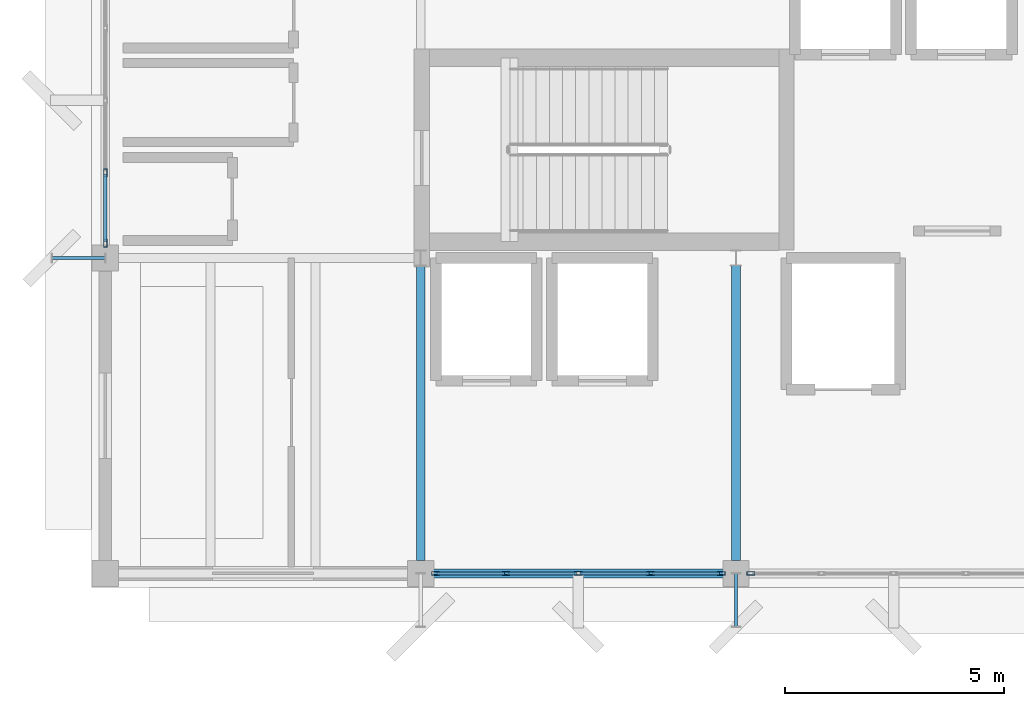
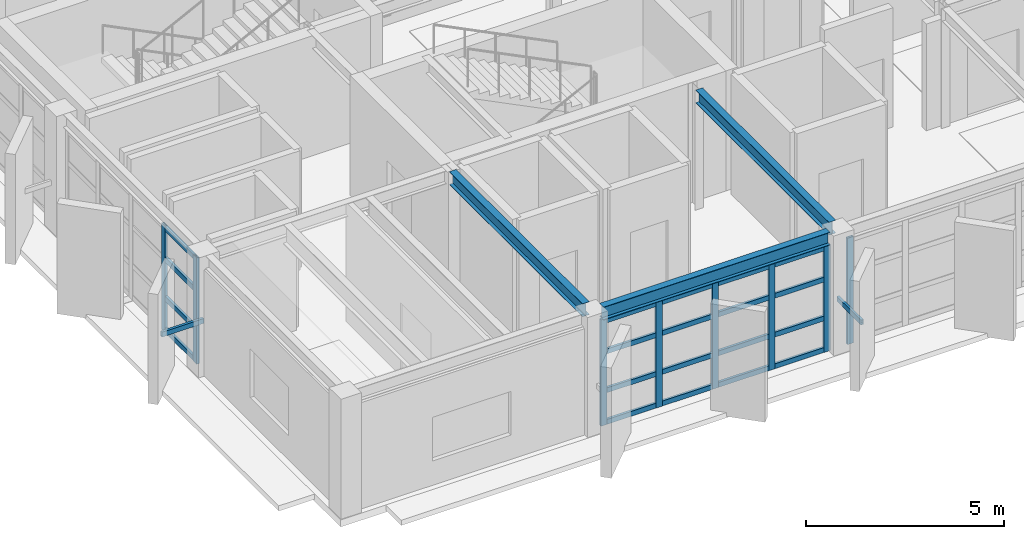
# One storey, part 3 of 15: 30 members, 3 beams, 3 elements without a shape of their own.
"""IFC4 building model written with IfcOpenShell, lengths in metres."""

from ifc_helpers import new_model, si_unit, direction, frame, origin, origin_2d, place, context, subcontext, project, spatial, hollow_rectangle, i_section, extrude, material, layer, layer_set, material_profile, profile_set, type_object, element, aggregate, save


model = new_model("IFC4")

# Units and contexts
model_context = context("Model", 3, precision=1e-05, world=origin(), true_north=direction((0.0, 1.0)))
body_context = subcontext(model_context, "Body", "Model", "MODEL_VIEW")
ifc_project = project(units=[si_unit("LENGTHUNIT", "METRE"), si_unit("AREAUNIT", "SQUARE_METRE"), si_unit("VOLUMEUNIT", "CUBIC_METRE"), si_unit("PLANEANGLEUNIT", "RADIAN"), si_unit("MASSUNIT", "GRAM", prefix="KILO")], contexts=[model_context])

# Site, building, storey
site_placement = place(None, origin())
site = spatial("IfcSite", under=ifc_project, at=site_placement, CompositionType="ELEMENT")
building_placement = place(site_placement, origin())
building = spatial("IfcBuilding", under=site, at=building_placement, Name="Kandorven Conservatory and Botanical Research Centre", CompositionType="ELEMENT")
storey_placement = place(building_placement, frame((0.0, 0.0, 52.199951171875)))
storey = spatial("IfcBuildingStorey", under=building, at=storey_placement, Name="L13", CompositionType="ELEMENT", Elevation=52.199951171875)

# Beams
ifc_material_1 = material(Name="Steel S355 (IS 2062 E350)", Category="steel")
ifc_material_profile_1 = material_profile(ifc_material_1, i_section(OverallWidth=0.199951171875, OverallDepth=0.39990234375, WebThickness=0.008544921875, FlangeThickness=0.012939453125, at=origin_2d()))
ifc_profile_set_1 = profile_set([ifc_material_profile_1], Name="Steel S355 (IS 2062 E350)")
beam_type = type_object("IfcBeamType", Name="Beam_FG-03", PredefinedType="USERDEFINED", material=ifc_profile_set_1)
beam_placement = place(storey_placement, frame((13.489990234375, 6.0, 3.505126953125), z_axis=(1.0, 0.0, 0.0), x_axis=(0.0, 1.0, 0.0)))
element("IfcBeam", 1, at=beam_placement, inside=storey, type_object=beam_type, Name="Primary girder FG-03 TWR L13", ObjectType="GIRDER", PredefinedType="USERDEFINED", context=body_context, shape_type="SweptSolid", body=[
    extrude(i_section(OverallWidth=0.199951171875, OverallDepth=0.39990234375, WebThickness=0.008544921875, FlangeThickness=0.012939453125, at=origin_2d()), origin(), (0.0, 0.0, 1.0), 6.6201171875),
])
for number, where, z_axis, x_axis, name in (
    (2, (13.199951171875, 6.2900390625, 3.505126953125), (0.0, 1.0, 0.0), (-1.0, 0.0, 0.0), "Primary girder FG-03 TWR L13"),
    (3, (20.39990234375, 6.2900390625, 3.505126953125), (0.0, 1.0, 0.0), (-1.0, 0.0, 0.0), "Primary girder FG-03 TWR L13"),
):
    element("IfcBeam", number, at=place(storey_placement, frame(where, z_axis=z_axis, x_axis=x_axis)), inside=storey, type_object=beam_type, Name=name, ObjectType="GIRDER", PredefinedType="USERDEFINED", context=body_context, shape_type="SweptSolid", body=[
        extrude(i_section(OverallWidth=0.199951171875, OverallDepth=0.39990234375, WebThickness=0.008544921875, FlangeThickness=0.012939453125, at=origin_2d()), origin(), (0.0, 0.0, 1.0), 6.744873046875),
    ])

# Curtain wall, members
ifc_material_2 = material(Name="Bronze anodised thermally broken aluminium", Category="aluminium")
ifc_layer = layer(ifc_material_2, 0.179931640625)
ifc_layer_set = layer_set([ifc_layer], Name="Bronze anodised thermally broken aluminium")
curtain_wall_type = type_object("IfcCurtainWallType", Name="CW_Unitised", PredefinedType="USERDEFINED", material=ifc_layer_set)
curtain_wall_1_placement = place(storey_placement, origin())
curtain_wall_1 = element("IfcCurtainWall", 4, at=curtain_wall_1_placement, inside=storey, type_object=curtain_wall_type, Name="Tower laboratory curtain wall CW-TWR-S-L13-2", ObjectType="UNITISED GLAZING", PredefinedType="USERDEFINED")
ifc_material_3 = material(Name="Bronze anodised thermally broken aluminium", Category="aluminium")
ifc_material_profile_2 = material_profile(ifc_material_3, hollow_rectangle(XDim=0.080078125, YDim=0.179931640625, WallThickness=0.006103515625, at=origin_2d()))
ifc_profile_set_2 = profile_set([ifc_material_profile_2], Name="Bronze anodised thermally broken aluminium")
member_type_1 = type_object("IfcMemberType", Name="CW_Mullion", PredefinedType="MULLION", material=ifc_profile_set_2)
member_1_placement = place(storey_placement, frame((13.5400390625, 6.0, 0.0), z_axis=(0.0, 0.0, 1.0), x_axis=(0.0, 1.0, 0.0)))
member_1 = element("IfcMember", 5, at=member_1_placement, type_object=member_type_1, Name="CW-01 mullion 1", PredefinedType="MULLION", context=body_context, shape_type="SweptSolid", body=[
    extrude(hollow_rectangle(XDim=0.080078125, YDim=0.179931640625, WallThickness=0.006103515625, at=origin_2d()), origin(), (0.0, 0.0, 1.0), 3.28515625),
])
member_2_placement = place(storey_placement, frame((15.14990234375, 6.0, 0.0), z_axis=(0.0, 0.0, 1.0), x_axis=(0.0, 1.0, 0.0)))
member_2 = element("IfcMember", 6, at=member_2_placement, type_object=member_type_1, Name="CW-01 mullion 2", PredefinedType="MULLION", context=body_context, shape_type="SweptSolid", body=[
    extrude(hollow_rectangle(XDim=0.080078125, YDim=0.179931640625, WallThickness=0.006103515625, at=origin_2d()), origin(), (0.0, 0.0, 1.0), 3.28515625),
])
member_3_placement = place(storey_placement, frame((16.800048828125, 6.0, 0.0), z_axis=(0.0, 0.0, 1.0), x_axis=(0.0, 1.0, 0.0)))
member_3 = element("IfcMember", 7, at=member_3_placement, type_object=member_type_1, Name="CW-01 mullion 3", PredefinedType="MULLION", context=body_context, shape_type="SweptSolid", body=[
    extrude(hollow_rectangle(XDim=0.080078125, YDim=0.179931640625, WallThickness=0.006103515625, at=origin_2d()), origin(), (0.0, 0.0, 1.0), 3.28515625),
])
member_4_placement = place(storey_placement, frame((18.449951171875, 6.0, 0.0), z_axis=(0.0, 0.0, 1.0), x_axis=(0.0, 1.0, 0.0)))
member_4 = element("IfcMember", 8, at=member_4_placement, type_object=member_type_1, Name="CW-01 mullion 4", PredefinedType="MULLION", context=body_context, shape_type="SweptSolid", body=[
    extrude(hollow_rectangle(XDim=0.080078125, YDim=0.179931640625, WallThickness=0.006103515625, at=origin_2d()), origin(), (0.0, 0.0, 1.0), 3.28515625),
])
member_5_placement = place(storey_placement, frame((20.06005859375, 6.0, 0.0), z_axis=(0.0, 0.0, 1.0), x_axis=(0.0, 1.0, 0.0)))
member_5 = element("IfcMember", 9, at=member_5_placement, type_object=member_type_1, Name="CW-01 mullion 5", PredefinedType="MULLION", context=body_context, shape_type="SweptSolid", body=[
    extrude(hollow_rectangle(XDim=0.080078125, YDim=0.179931640625, WallThickness=0.006103515625, at=origin_2d()), origin(), (0.0, 0.0, 1.0), 3.28515625),
])

# Curtain wall, member
curtain_wall_2_placement = place(storey_placement, origin())
curtain_wall_2 = element("IfcCurtainWall", 10, at=curtain_wall_2_placement, inside=storey, type_object=curtain_wall_type, Name="Tower laboratory curtain wall CW-TWR-S-L13-3", ObjectType="UNITISED GLAZING", PredefinedType="USERDEFINED")
member_6_placement = place(storey_placement, frame((20.739990234375, 6.0, 0.0), z_axis=(0.0, 0.0, 1.0), x_axis=(0.0, 1.0, 0.0)))
member_6 = element("IfcMember", 11, at=member_6_placement, type_object=member_type_1, Name="CW-01 mullion 1", PredefinedType="MULLION", context=body_context, shape_type="SweptSolid", body=[
    extrude(hollow_rectangle(XDim=0.080078125, YDim=0.179931640625, WallThickness=0.006103515625, at=origin_2d()), origin(), (0.0, 0.0, 1.0), 3.28515625),
])
aggregate(curtain_wall_2, [member_6])

# Curtain wall, members
curtain_wall_3_placement = place(storey_placement, origin())
curtain_wall_3 = element("IfcCurtainWall", 12, at=curtain_wall_3_placement, inside=storey, type_object=curtain_wall_type, Name="Tower laboratory curtain wall CW-TWR-W-L13-2", ObjectType="UNITISED GLAZING", PredefinedType="USERDEFINED")
member_7_placement = place(storey_placement, frame((6.0, 13.5400390625, 0.0), z_axis=(0.0, 0.0, 1.0), x_axis=(-1.0, 0.0, 0.0)))
member_7 = element("IfcMember", 13, at=member_7_placement, type_object=member_type_1, Name="CW-01 mullion 1", PredefinedType="MULLION", context=body_context, shape_type="SweptSolid", body=[
    extrude(hollow_rectangle(XDim=0.080078125, YDim=0.179931640625, WallThickness=0.006103515625, at=origin_2d()), origin(), (0.0, 0.0, 1.0), 3.28515625),
])
member_8_placement = place(storey_placement, frame((6.0, 15.14990234375, 0.0), z_axis=(0.0, 0.0, 1.0), x_axis=(-1.0, 0.0, 0.0)))
member_8 = element("IfcMember", 14, at=member_8_placement, type_object=member_type_1, Name="CW-01 mullion 2", PredefinedType="MULLION", context=body_context, shape_type="SweptSolid", body=[
    extrude(hollow_rectangle(XDim=0.080078125, YDim=0.179931640625, WallThickness=0.006103515625, at=origin_2d()), origin(), (0.0, 0.0, 1.0), 3.28515625),
])

# Member
ifc_material_4 = material(Name="Bronze anodised thermally broken aluminium", Category="aluminium")
ifc_material_profile_3 = material_profile(ifc_material_4, hollow_rectangle(XDim=0.074951171875, YDim=0.14990234375, WallThickness=0.006103515625, at=origin_2d()))
ifc_profile_set_3 = profile_set([ifc_material_profile_3], Name="Bronze anodised thermally broken aluminium")
member_type_2 = type_object("IfcMemberType", Name="CW_Transom", PredefinedType="USERDEFINED", material=ifc_profile_set_3)
member_9_placement = place(storey_placement, frame((13.580078125, 6.0, 0.074951171875), z_axis=(1.0, 0.0, 0.0), x_axis=(0.0, 1.0, 0.0)))
member_9 = element("IfcMember", 15, at=member_9_placement, type_object=member_type_2, Name="CW-01 transom 1.1", ObjectType="TRANSOM", PredefinedType="USERDEFINED", context=body_context, shape_type="SweptSolid", body=[
    extrude(hollow_rectangle(XDim=0.074951171875, YDim=0.14990234375, WallThickness=0.006103515625, at=origin_2d()), origin(), (0.0, 0.0, 1.0), 1.530029296875),
])

member_10_placement = place(storey_placement, frame((13.580078125, 6.0, 1.050048828125), z_axis=(1.0, 0.0, 0.0), x_axis=(0.0, 1.0, 0.0)))
member_10 = element("IfcMember", 16, at=member_10_placement, type_object=member_type_2, Name="CW-01 transom 1.2", ObjectType="TRANSOM", PredefinedType="USERDEFINED", context=body_context, shape_type="SweptSolid", body=[
    extrude(hollow_rectangle(XDim=0.074951171875, YDim=0.14990234375, WallThickness=0.006103515625, at=origin_2d()), origin(), (0.0, 0.0, 1.0), 1.530029296875),
])

member_11_placement = place(storey_placement, frame((13.580078125, 6.0, 2.25), z_axis=(1.0, 0.0, 0.0), x_axis=(0.0, 1.0, 0.0)))
member_11 = element("IfcMember", 17, at=member_11_placement, type_object=member_type_2, Name="CW-01 transom 1.3", ObjectType="TRANSOM", PredefinedType="USERDEFINED", context=body_context, shape_type="SweptSolid", body=[
    extrude(hollow_rectangle(XDim=0.074951171875, YDim=0.14990234375, WallThickness=0.006103515625, at=origin_2d()), origin(), (0.0, 0.0, 1.0), 1.530029296875),
])

member_12_placement = place(storey_placement, frame((13.580078125, 6.0, 3.2099609375), z_axis=(1.0, 0.0, 0.0), x_axis=(0.0, 1.0, 0.0)))
member_12 = element("IfcMember", 18, at=member_12_placement, type_object=member_type_2, Name="CW-01 transom 1.4", ObjectType="TRANSOM", PredefinedType="USERDEFINED", context=body_context, shape_type="SweptSolid", body=[
    extrude(hollow_rectangle(XDim=0.074951171875, YDim=0.14990234375, WallThickness=0.006103515625, at=origin_2d()), origin(), (0.0, 0.0, 1.0), 1.530029296875),
])

member_13_placement = place(storey_placement, frame((15.18994140625, 6.0, 0.074951171875), z_axis=(1.0, 0.0, 0.0), x_axis=(0.0, 1.0, 0.0)))
member_13 = element("IfcMember", 19, at=member_13_placement, type_object=member_type_2, Name="CW-01 transom 2.1", ObjectType="TRANSOM", PredefinedType="USERDEFINED", context=body_context, shape_type="SweptSolid", body=[
    extrude(hollow_rectangle(XDim=0.074951171875, YDim=0.14990234375, WallThickness=0.006103515625, at=origin_2d()), origin(), (0.0, 0.0, 1.0), 1.570068359375),
])

member_14_placement = place(storey_placement, frame((15.18994140625, 6.0, 1.050048828125), z_axis=(1.0, 0.0, 0.0), x_axis=(0.0, 1.0, 0.0)))
member_14 = element("IfcMember", 20, at=member_14_placement, type_object=member_type_2, Name="CW-01 transom 2.2", ObjectType="TRANSOM", PredefinedType="USERDEFINED", context=body_context, shape_type="SweptSolid", body=[
    extrude(hollow_rectangle(XDim=0.074951171875, YDim=0.14990234375, WallThickness=0.006103515625, at=origin_2d()), origin(), (0.0, 0.0, 1.0), 1.570068359375),
])

member_15_placement = place(storey_placement, frame((15.18994140625, 6.0, 2.25), z_axis=(1.0, 0.0, 0.0), x_axis=(0.0, 1.0, 0.0)))
member_15 = element("IfcMember", 21, at=member_15_placement, type_object=member_type_2, Name="CW-01 transom 2.3", ObjectType="TRANSOM", PredefinedType="USERDEFINED", context=body_context, shape_type="SweptSolid", body=[
    extrude(hollow_rectangle(XDim=0.074951171875, YDim=0.14990234375, WallThickness=0.006103515625, at=origin_2d()), origin(), (0.0, 0.0, 1.0), 1.570068359375),
])

member_16_placement = place(storey_placement, frame((15.18994140625, 6.0, 3.2099609375), z_axis=(1.0, 0.0, 0.0), x_axis=(0.0, 1.0, 0.0)))
member_16 = element("IfcMember", 22, at=member_16_placement, type_object=member_type_2, Name="CW-01 transom 2.4", ObjectType="TRANSOM", PredefinedType="USERDEFINED", context=body_context, shape_type="SweptSolid", body=[
    extrude(hollow_rectangle(XDim=0.074951171875, YDim=0.14990234375, WallThickness=0.006103515625, at=origin_2d()), origin(), (0.0, 0.0, 1.0), 1.570068359375),
])

member_17_placement = place(storey_placement, frame((16.840087890625, 6.0, 0.074951171875), z_axis=(1.0, 0.0, 0.0), x_axis=(0.0, 1.0, 0.0)))
member_17 = element("IfcMember", 23, at=member_17_placement, type_object=member_type_2, Name="CW-01 transom 3.1", ObjectType="TRANSOM", PredefinedType="USERDEFINED", context=body_context, shape_type="SweptSolid", body=[
    extrude(hollow_rectangle(XDim=0.074951171875, YDim=0.14990234375, WallThickness=0.006103515625, at=origin_2d()), origin(), (0.0, 0.0, 1.0), 1.56982421875),
])

member_18_placement = place(storey_placement, frame((16.840087890625, 6.0, 1.050048828125), z_axis=(1.0, 0.0, 0.0), x_axis=(0.0, 1.0, 0.0)))
member_18 = element("IfcMember", 24, at=member_18_placement, type_object=member_type_2, Name="CW-01 transom 3.2", ObjectType="TRANSOM", PredefinedType="USERDEFINED", context=body_context, shape_type="SweptSolid", body=[
    extrude(hollow_rectangle(XDim=0.074951171875, YDim=0.14990234375, WallThickness=0.006103515625, at=origin_2d()), origin(), (0.0, 0.0, 1.0), 1.56982421875),
])

member_19_placement = place(storey_placement, frame((16.840087890625, 6.0, 2.25), z_axis=(1.0, 0.0, 0.0), x_axis=(0.0, 1.0, 0.0)))
member_19 = element("IfcMember", 25, at=member_19_placement, type_object=member_type_2, Name="CW-01 transom 3.3", ObjectType="TRANSOM", PredefinedType="USERDEFINED", context=body_context, shape_type="SweptSolid", body=[
    extrude(hollow_rectangle(XDim=0.074951171875, YDim=0.14990234375, WallThickness=0.006103515625, at=origin_2d()), origin(), (0.0, 0.0, 1.0), 1.56982421875),
])

member_20_placement = place(storey_placement, frame((16.840087890625, 6.0, 3.2099609375), z_axis=(1.0, 0.0, 0.0), x_axis=(0.0, 1.0, 0.0)))
member_20 = element("IfcMember", 26, at=member_20_placement, type_object=member_type_2, Name="CW-01 transom 3.4", ObjectType="TRANSOM", PredefinedType="USERDEFINED", context=body_context, shape_type="SweptSolid", body=[
    extrude(hollow_rectangle(XDim=0.074951171875, YDim=0.14990234375, WallThickness=0.006103515625, at=origin_2d()), origin(), (0.0, 0.0, 1.0), 1.56982421875),
])

member_21_placement = place(storey_placement, frame((18.489990234375, 6.0, 0.074951171875), z_axis=(1.0, 0.0, 0.0), x_axis=(0.0, 1.0, 0.0)))
member_21 = element("IfcMember", 27, at=member_21_placement, type_object=member_type_2, Name="CW-01 transom 4.1", ObjectType="TRANSOM", PredefinedType="USERDEFINED", context=body_context, shape_type="SweptSolid", body=[
    extrude(hollow_rectangle(XDim=0.074951171875, YDim=0.14990234375, WallThickness=0.006103515625, at=origin_2d()), origin(), (0.0, 0.0, 1.0), 1.530029296875),
])

member_22_placement = place(storey_placement, frame((18.489990234375, 6.0, 1.050048828125), z_axis=(1.0, 0.0, 0.0), x_axis=(0.0, 1.0, 0.0)))
member_22 = element("IfcMember", 28, at=member_22_placement, type_object=member_type_2, Name="CW-01 transom 4.2", ObjectType="TRANSOM", PredefinedType="USERDEFINED", context=body_context, shape_type="SweptSolid", body=[
    extrude(hollow_rectangle(XDim=0.074951171875, YDim=0.14990234375, WallThickness=0.006103515625, at=origin_2d()), origin(), (0.0, 0.0, 1.0), 1.530029296875),
])

member_23_placement = place(storey_placement, frame((18.489990234375, 6.0, 2.25), z_axis=(1.0, 0.0, 0.0), x_axis=(0.0, 1.0, 0.0)))
member_23 = element("IfcMember", 29, at=member_23_placement, type_object=member_type_2, Name="CW-01 transom 4.3", ObjectType="TRANSOM", PredefinedType="USERDEFINED", context=body_context, shape_type="SweptSolid", body=[
    extrude(hollow_rectangle(XDim=0.074951171875, YDim=0.14990234375, WallThickness=0.006103515625, at=origin_2d()), origin(), (0.0, 0.0, 1.0), 1.530029296875),
])

member_24_placement = place(storey_placement, frame((18.489990234375, 6.0, 3.2099609375), z_axis=(1.0, 0.0, 0.0), x_axis=(0.0, 1.0, 0.0)))
member_24 = element("IfcMember", 30, at=member_24_placement, type_object=member_type_2, Name="CW-01 transom 4.4", ObjectType="TRANSOM", PredefinedType="USERDEFINED", context=body_context, shape_type="SweptSolid", body=[
    extrude(hollow_rectangle(XDim=0.074951171875, YDim=0.14990234375, WallThickness=0.006103515625, at=origin_2d()), origin(), (0.0, 0.0, 1.0), 1.530029296875),
])

aggregate(curtain_wall_1, [member_1, member_2, member_3, member_4, member_5, member_9, member_10, member_11, member_12, member_13, member_14, member_15, member_16, member_17, member_18, member_19, member_20, member_21, member_22, member_23, member_24])

member_25_placement = place(storey_placement, frame((6.0, 13.580078125, 0.074951171875), z_axis=(0.0, 1.0, 0.0), x_axis=(-1.0, 0.0, 0.0)))
member_25 = element("IfcMember", 31, at=member_25_placement, type_object=member_type_2, Name="CW-01 transom 1.1", ObjectType="TRANSOM", PredefinedType="USERDEFINED", context=body_context, shape_type="SweptSolid", body=[
    extrude(hollow_rectangle(XDim=0.074951171875, YDim=0.14990234375, WallThickness=0.006103515625, at=origin_2d()), origin(), (0.0, 0.0, 1.0), 1.530029296875),
])

member_26_placement = place(storey_placement, frame((6.0, 13.580078125, 1.050048828125), z_axis=(0.0, 1.0, 0.0), x_axis=(-1.0, 0.0, 0.0)))
member_26 = element("IfcMember", 32, at=member_26_placement, type_object=member_type_2, Name="CW-01 transom 1.2", ObjectType="TRANSOM", PredefinedType="USERDEFINED", context=body_context, shape_type="SweptSolid", body=[
    extrude(hollow_rectangle(XDim=0.074951171875, YDim=0.14990234375, WallThickness=0.006103515625, at=origin_2d()), origin(), (0.0, 0.0, 1.0), 1.530029296875),
])

member_27_placement = place(storey_placement, frame((6.0, 13.580078125, 2.25), z_axis=(0.0, 1.0, 0.0), x_axis=(-1.0, 0.0, 0.0)))
member_27 = element("IfcMember", 33, at=member_27_placement, type_object=member_type_2, Name="CW-01 transom 1.3", ObjectType="TRANSOM", PredefinedType="USERDEFINED", context=body_context, shape_type="SweptSolid", body=[
    extrude(hollow_rectangle(XDim=0.074951171875, YDim=0.14990234375, WallThickness=0.006103515625, at=origin_2d()), origin(), (0.0, 0.0, 1.0), 1.530029296875),
])

member_28_placement = place(storey_placement, frame((6.0, 13.580078125, 3.2099609375), z_axis=(0.0, 1.0, 0.0), x_axis=(-1.0, 0.0, 0.0)))
member_28 = element("IfcMember", 34, at=member_28_placement, type_object=member_type_2, Name="CW-01 transom 1.4", ObjectType="TRANSOM", PredefinedType="USERDEFINED", context=body_context, shape_type="SweptSolid", body=[
    extrude(hollow_rectangle(XDim=0.074951171875, YDim=0.14990234375, WallThickness=0.006103515625, at=origin_2d()), origin(), (0.0, 0.0, 1.0), 1.530029296875),
])

aggregate(curtain_wall_3, [member_7, member_8, member_25, member_26, member_27, member_28])

# Members
ifc_material_5 = material(Name="Steel S355 (IS 2062 E350)", Category="steel")
ifc_material_profile_4 = material_profile(ifc_material_5, hollow_rectangle(XDim=0.074951171875, YDim=0.14990234375, WallThickness=0.006103515625, at=origin_2d()))
ifc_profile_set_4 = profile_set([ifc_material_profile_4], Name="Steel S355 (IS 2062 E350)")
member_type_3 = type_object("IfcMemberType", Name="Mem_SF-01", PredefinedType="STRUT", material=ifc_profile_set_4)
for number, where, z_axis, x_axis, name in (
    (35, (20.39990234375, 6.0, 1.5), (0.0, -1.0, 0.0), (1.0, 0.0, 0.0), "Solar fin steel outrigger strut SF-01 #111"),
    (36, (6.0, 13.199951171875, 1.5), (-1.0, 0.0, 0.0), (0.0, -1.0, 0.0), "Solar fin steel outrigger strut SF-01 #113"),
):
    element("IfcMember", number, at=place(storey_placement, frame(where, z_axis=z_axis, x_axis=x_axis)), inside=storey, type_object=member_type_3, Name=name, PredefinedType="STRUT", context=body_context, shape_type="SweptSolid", body=[
        extrude(hollow_rectangle(XDim=0.074951171875, YDim=0.14990234375, WallThickness=0.006103515625, at=origin_2d()), origin(), (0.0, 0.0, 1.0), 1.219970703125),
    ])

save(model, "model.ifc")
